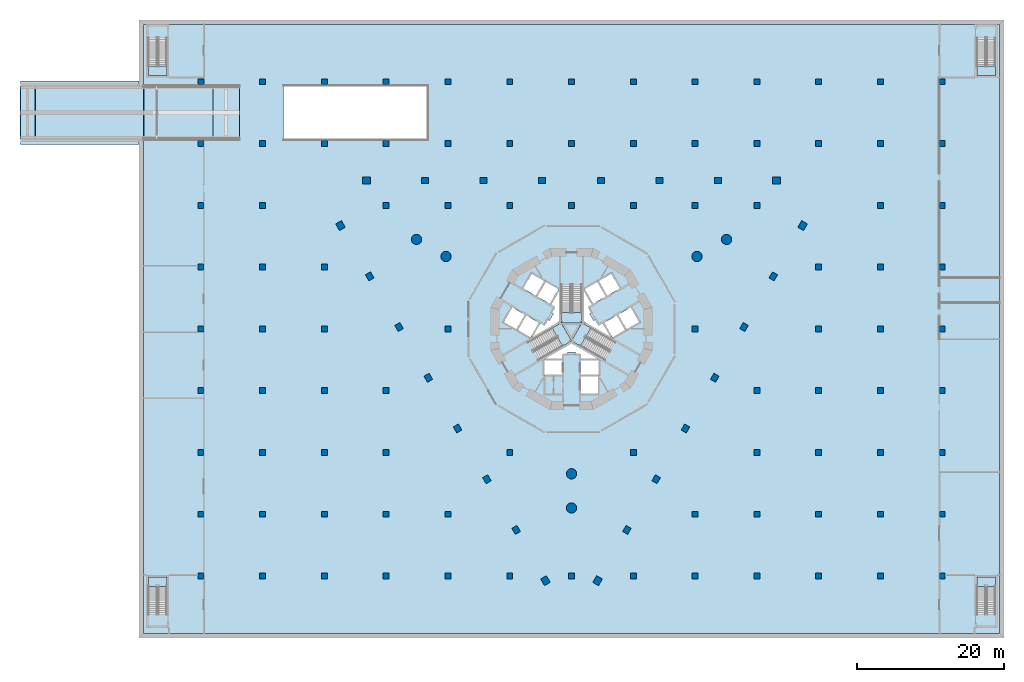
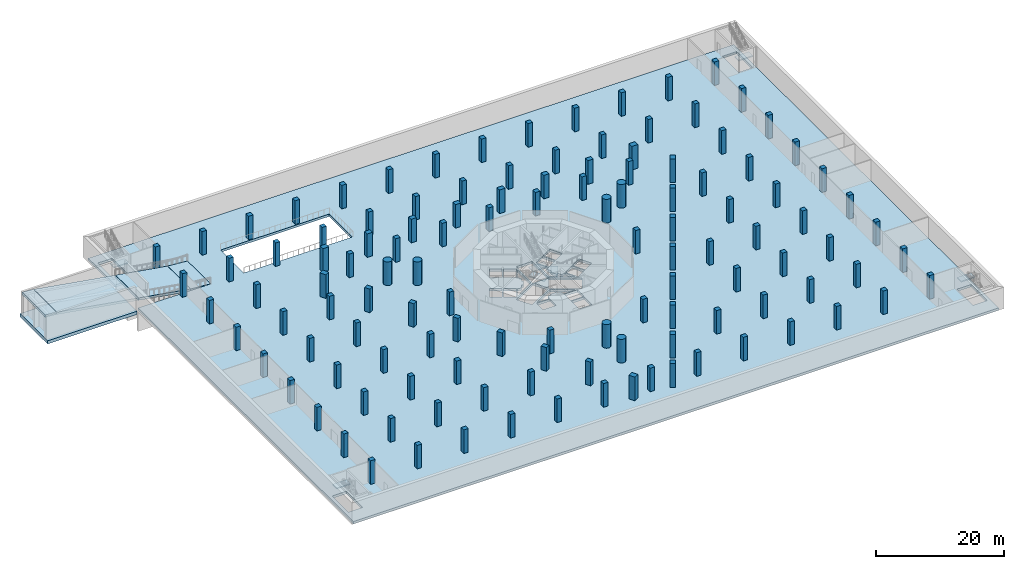
# One storey, part 1 of 21: 122 columns, 13 slabs, 1 footing, 7 elements without a shape of their own.
"""IFC4 building model written with IfcOpenShell, lengths in metres."""

from ifc_helpers import new_model, si_unit, direction, frame, origin, origin_2d, place, context, subcontext, project, spatial, polyline, rectangle, circle, outline, extrude, material, layer, layer_set, material_profile, profile_set, type_object, element, aggregate, save


model = new_model("IFC4")

# Units and contexts
model_context = context("Model", 3, precision=1e-05, world=origin(), true_north=direction((0.0, 1.0)))
body_context = subcontext(model_context, "Body", "Model", "MODEL_VIEW")
ifc_project = project(units=[si_unit("LENGTHUNIT", "METRE"), si_unit("AREAUNIT", "SQUARE_METRE"), si_unit("VOLUMEUNIT", "CUBIC_METRE"), si_unit("PLANEANGLEUNIT", "RADIAN"), si_unit("MASSUNIT", "GRAM", prefix="KILO")], contexts=[model_context])

# Site, building, storey
site_placement = place(None, origin())
site = spatial("IfcSite", under=ifc_project, at=site_placement, CompositionType="ELEMENT")
building_placement = place(site_placement, origin())
building = spatial("IfcBuilding", under=site, at=building_placement, Name="Trine Commons Tower", CompositionType="ELEMENT")
storey_placement = place(building_placement, frame((0.0, 0.0, -4.5)))
storey = spatial("IfcBuildingStorey", under=building, at=storey_placement, Name="B1", CompositionType="ELEMENT", Elevation=-4.5)

# Footing
ifc_material_1 = material(Name="Concrete C40/50", Category="concrete")
ifc_layer_1 = layer(ifc_material_1, 0.60009765625)
ifc_layer_set_1 = layer_set([ifc_layer_1], Name="Concrete C40/50")
footing_type = type_object("IfcFootingType", Name="Ramp footing 600 mm, C40/50", PredefinedType="PAD_FOOTING", material=ifc_layer_set_1)
footing_placement = place(storey_placement, frame((0.0, 0.0, -0.60009765625)))
element("IfcFooting", 1, at=footing_placement, inside=storey, type_object=footing_type, Name="R1 cutting footing", PredefinedType="PAD_FOOTING", context=body_context, shape_type="SweptSolid", body=[
    extrude(outline(polyline([(21.199951171875, 87.60009765625), (21.199951171875, 96.199951171875), (5.050048828125, 96.199951171875), (5.050048828125, 87.60009765625), (21.199951171875, 87.60009765625)])), origin(), (0.0, 0.0, 1.0), 0.60009765625),
])

# Columns
ifc_material_2 = material(Name="Concrete C80/95", Category="concrete")
ifc_material_profile_1 = material_profile(ifc_material_2, rectangle(XDim=1.050048828125, YDim=0.89990234375, at=origin_2d()), Name="RC 1050x900")
ifc_profile_set_1 = profile_set([ifc_material_profile_1], Name="Concrete C80/95")
column_type_1 = type_object("IfcColumnType", Name="RC column 1050x900, C80/95", PredefinedType="COLUMN", material=ifc_profile_set_1)
for number, where, z_axis, x_axis, name in (
    (2, (76.45556640625, 28.27001953125, 0.0), (0.0, 0.0, 1.0), (-0.5, 0.866025403784, 0.0), "Column PC1-01 B1"),
    (3, (48.583740234375, 76.54541015625, 0.0), (0.0, 0.0, 1.0), (-0.5, 0.866025403784, 0.0), "Column PC1-08 B1"),
    (4, (52.128173828125, 82.6845703125, 0.0), (0.0, 0.0, 1.0), (1.0, 0.0, 0.0), "Column PC1-09 B1"),
    (5, (107.871826171875, 82.6845703125, 0.0), (0.0, 0.0, 1.0), (1.0, 0.0, 0.0), "Column PC1-16 B1"),
    (6, (111.416259765625, 76.54541015625, 0.0), (0.0, 0.0, 1.0), (0.5, 0.866025403784, 0.0), "Column PC1-17 B1"),
    (7, (83.54443359375, 28.27001953125, 0.0), (0.0, 0.0, 1.0), (0.5, 0.866025403784, 0.0), "Column PC1-24 B1"),
):
    element("IfcColumn", number, at=place(storey_placement, frame(where, z_axis=z_axis, x_axis=x_axis)), inside=storey, type_object=column_type_1, Name=name, PredefinedType="COLUMN", context=body_context, shape_type="SweptSolid", body=[
        extrude(rectangle(XDim=1.050048828125, YDim=0.89990234375, at=origin_2d()), origin(), (0.0, 0.0, 1.0), 4.5),
    ])
ifc_material_3 = material(Name="Concrete C50/60", Category="concrete")
ifc_material_profile_2 = material_profile(ifc_material_3, rectangle(XDim=0.800048828125, YDim=0.800048828125, at=origin_2d()), Name="RC 800x800")
ifc_profile_set_2 = profile_set([ifc_material_profile_2], Name="Concrete C50/60")
column_type_2 = type_object("IfcColumnType", Name="RC column 800x800, C50/60", PredefinedType="COLUMN", material=ifc_profile_set_2)
for number, where, z_axis, x_axis, name in (
    (8, (29.60009765625, 28.89990234375, 0.0), (0.0, 0.0, 1.0), (1.0, 0.0, 0.0), "Column BC-01 B1"),
    (9, (38.0, 28.89990234375, 0.0), (0.0, 0.0, 1.0), (1.0, 0.0, 0.0), "Column BC-02 B1"),
    (10, (46.39990234375, 28.89990234375, 0.0), (0.0, 0.0, 1.0), (1.0, 0.0, 0.0), "Column BC-03 B1"),
    (11, (54.800048828125, 28.89990234375, 0.0), (0.0, 0.0, 1.0), (1.0, 0.0, 0.0), "Column BC-04 B1"),
    (12, (63.199951171875, 28.89990234375, 0.0), (0.0, 0.0, 1.0), (1.0, 0.0, 0.0), "Column BC-05 B1"),
    (13, (71.60009765625, 28.89990234375, 0.0), (0.0, 0.0, 1.0), (1.0, 0.0, 0.0), "Column BC-06 B1"),
    (14, (80.0, 28.89990234375, 0.0), (0.0, 0.0, 1.0), (1.0, 0.0, 0.0), "Column BC-07 B1"),
    (15, (88.39990234375, 28.89990234375, 0.0), (0.0, 0.0, 1.0), (1.0, 0.0, 0.0), "Column BC-08 B1"),
    (16, (96.800048828125, 28.89990234375, 0.0), (0.0, 0.0, 1.0), (1.0, 0.0, 0.0), "Column BC-09 B1"),
    (17, (105.199951171875, 28.89990234375, 0.0), (0.0, 0.0, 1.0), (1.0, 0.0, 0.0), "Column BC-10 B1"),
    (18, (113.60009765625, 28.89990234375, 0.0), (0.0, 0.0, 1.0), (1.0, 0.0, 0.0), "Column BC-11 B1"),
    (19, (122.0, 28.89990234375, 0.0), (0.0, 0.0, 1.0), (1.0, 0.0, 0.0), "Column BC-12 B1"),
    (20, (130.39990234375, 28.89990234375, 0.0), (0.0, 0.0, 1.0), (1.0, 0.0, 0.0), "Column BC-13 B1"),
    (21, (29.60009765625, 37.300048828125, 0.0), (0.0, 0.0, 1.0), (1.0, 0.0, 0.0), "Column BC-14 B1"),
    (22, (38.0, 37.300048828125, 0.0), (0.0, 0.0, 1.0), (1.0, 0.0, 0.0), "Column BC-15 B1"),
    (23, (46.39990234375, 37.300048828125, 0.0), (0.0, 0.0, 1.0), (1.0, 0.0, 0.0), "Column BC-16 B1"),
    (24, (54.800048828125, 37.300048828125, 0.0), (0.0, 0.0, 1.0), (1.0, 0.0, 0.0), "Column BC-17 B1"),
    (25, (63.199951171875, 37.300048828125, 0.0), (0.0, 0.0, 1.0), (1.0, 0.0, 0.0), "Column BC-18 B1"),
    (26, (96.800048828125, 37.300048828125, 0.0), (0.0, 0.0, 1.0), (1.0, 0.0, 0.0), "Column BC-19 B1"),
    (27, (105.199951171875, 37.300048828125, 0.0), (0.0, 0.0, 1.0), (1.0, 0.0, 0.0), "Column BC-20 B1"),
    (28, (113.60009765625, 37.300048828125, 0.0), (0.0, 0.0, 1.0), (1.0, 0.0, 0.0), "Column BC-21 B1"),
    (29, (122.0, 37.300048828125, 0.0), (0.0, 0.0, 1.0), (1.0, 0.0, 0.0), "Column BC-22 B1"),
    (30, (130.39990234375, 37.300048828125, 0.0), (0.0, 0.0, 1.0), (1.0, 0.0, 0.0), "Column BC-23 B1"),
    (31, (29.60009765625, 45.699951171875, 0.0), (0.0, 0.0, 1.0), (1.0, 0.0, 0.0), "Column BC-24 B1"),
    (32, (38.0, 45.699951171875, 0.0), (0.0, 0.0, 1.0), (1.0, 0.0, 0.0), "Column BC-25 B1"),
    (33, (46.39990234375, 45.699951171875, 0.0), (0.0, 0.0, 1.0), (1.0, 0.0, 0.0), "Column BC-26 B1"),
    (34, (54.800048828125, 45.699951171875, 0.0), (0.0, 0.0, 1.0), (1.0, 0.0, 0.0), "Column BC-27 B1"),
    (35, (71.60009765625, 45.699951171875, 0.0), (0.0, 0.0, 1.0), (1.0, 0.0, 0.0), "Column BC-28 B1"),
    (36, (88.39990234375, 45.699951171875, 0.0), (0.0, 0.0, 1.0), (1.0, 0.0, 0.0), "Column BC-29 B1"),
    (37, (105.199951171875, 45.699951171875, 0.0), (0.0, 0.0, 1.0), (1.0, 0.0, 0.0), "Column BC-30 B1"),
    (38, (113.60009765625, 45.699951171875, 0.0), (0.0, 0.0, 1.0), (1.0, 0.0, 0.0), "Column BC-31 B1"),
    (39, (122.0, 45.699951171875, 0.0), (0.0, 0.0, 1.0), (1.0, 0.0, 0.0), "Column BC-32 B1"),
    (40, (130.39990234375, 45.699951171875, 0.0), (0.0, 0.0, 1.0), (1.0, 0.0, 0.0), "Column BC-33 B1"),
    (41, (29.60009765625, 54.10009765625, 0.0), (0.0, 0.0, 1.0), (1.0, 0.0, 0.0), "Column BC-34 B1"),
    (42, (38.0, 54.10009765625, 0.0), (0.0, 0.0, 1.0), (1.0, 0.0, 0.0), "Column BC-35 B1"),
    (43, (46.39990234375, 54.10009765625, 0.0), (0.0, 0.0, 1.0), (1.0, 0.0, 0.0), "Column BC-36 B1"),
    (44, (54.800048828125, 54.10009765625, 0.0), (0.0, 0.0, 1.0), (1.0, 0.0, 0.0), "Column BC-37 B1"),
    (45, (105.199951171875, 54.10009765625, 0.0), (0.0, 0.0, 1.0), (1.0, 0.0, 0.0), "Column BC-38 B1"),
    (46, (113.60009765625, 54.10009765625, 0.0), (0.0, 0.0, 1.0), (1.0, 0.0, 0.0), "Column BC-39 B1"),
    (47, (122.0, 54.10009765625, 0.0), (0.0, 0.0, 1.0), (1.0, 0.0, 0.0), "Column BC-40 B1"),
    (48, (130.39990234375, 54.10009765625, 0.0), (0.0, 0.0, 1.0), (1.0, 0.0, 0.0), "Column BC-41 B1"),
    (49, (29.60009765625, 62.5, 0.0), (0.0, 0.0, 1.0), (1.0, 0.0, 0.0), "Column BC-42 B1"),
    (50, (38.0, 62.5, 0.0), (0.0, 0.0, 1.0), (1.0, 0.0, 0.0), "Column BC-43 B1"),
    (51, (46.39990234375, 62.5, 0.0), (0.0, 0.0, 1.0), (1.0, 0.0, 0.0), "Column BC-44 B1"),
    (52, (63.199951171875, 62.5, 0.0), (0.0, 0.0, 1.0), (1.0, 0.0, 0.0), "Column BC-45 B1"),
    (53, (96.800048828125, 62.5, 0.0), (0.0, 0.0, 1.0), (1.0, 0.0, 0.0), "Column BC-46 B1"),
    (54, (113.60009765625, 62.5, 0.0), (0.0, 0.0, 1.0), (1.0, 0.0, 0.0), "Column BC-47 B1"),
    (55, (122.0, 62.5, 0.0), (0.0, 0.0, 1.0), (1.0, 0.0, 0.0), "Column BC-48 B1"),
    (56, (130.39990234375, 62.5, 0.0), (0.0, 0.0, 1.0), (1.0, 0.0, 0.0), "Column BC-49 B1"),
    (57, (29.60009765625, 70.89990234375, 0.0), (0.0, 0.0, 1.0), (1.0, 0.0, 0.0), "Column BC-50 B1"),
    (58, (38.0, 70.89990234375, 0.0), (0.0, 0.0, 1.0), (1.0, 0.0, 0.0), "Column BC-51 B1"),
    (59, (46.39990234375, 70.89990234375, 0.0), (0.0, 0.0, 1.0), (1.0, 0.0, 0.0), "Column BC-52 B1"),
    (60, (113.60009765625, 70.89990234375, 0.0), (0.0, 0.0, 1.0), (1.0, 0.0, 0.0), "Column BC-53 B1"),
    (61, (122.0, 70.89990234375, 0.0), (0.0, 0.0, 1.0), (1.0, 0.0, 0.0), "Column BC-54 B1"),
    (62, (130.39990234375, 70.89990234375, 0.0), (0.0, 0.0, 1.0), (1.0, 0.0, 0.0), "Column BC-55 B1"),
    (63, (29.60009765625, 79.300048828125, 0.0), (0.0, 0.0, 1.0), (1.0, 0.0, 0.0), "Column BC-56 B1"),
    (64, (38.0, 79.300048828125, 0.0), (0.0, 0.0, 1.0), (1.0, 0.0, 0.0), "Column BC-57 B1"),
    (65, (54.800048828125, 79.300048828125, 0.0), (0.0, 0.0, 1.0), (1.0, 0.0, 0.0), "Column BC-58 B1"),
    (66, (63.199951171875, 79.300048828125, 0.0), (0.0, 0.0, 1.0), (1.0, 0.0, 0.0), "Column BC-59 B1"),
    (67, (71.60009765625, 79.300048828125, 0.0), (0.0, 0.0, 1.0), (1.0, 0.0, 0.0), "Column BC-60 B1"),
    (68, (80.0, 79.300048828125, 0.0), (0.0, 0.0, 1.0), (1.0, 0.0, 0.0), "Column BC-61 B1"),
    (69, (88.39990234375, 79.300048828125, 0.0), (0.0, 0.0, 1.0), (1.0, 0.0, 0.0), "Column BC-62 B1"),
    (70, (96.800048828125, 79.300048828125, 0.0), (0.0, 0.0, 1.0), (1.0, 0.0, 0.0), "Column BC-63 B1"),
    (71, (105.199951171875, 79.300048828125, 0.0), (0.0, 0.0, 1.0), (1.0, 0.0, 0.0), "Column BC-64 B1"),
    (72, (122.0, 79.300048828125, 0.0), (0.0, 0.0, 1.0), (1.0, 0.0, 0.0), "Column BC-65 B1"),
    (73, (130.39990234375, 79.300048828125, 0.0), (0.0, 0.0, 1.0), (1.0, 0.0, 0.0), "Column BC-66 B1"),
    (74, (29.60009765625, 87.699951171875, 0.0), (0.0, 0.0, 1.0), (1.0, 0.0, 0.0), "Column BC-67 B1"),
    (75, (38.0, 87.699951171875, 0.0), (0.0, 0.0, 1.0), (1.0, 0.0, 0.0), "Column BC-68 B1"),
    (76, (46.39990234375, 87.699951171875, 0.0), (0.0, 0.0, 1.0), (1.0, 0.0, 0.0), "Column BC-69 B1"),
    (77, (54.800048828125, 87.699951171875, 0.0), (0.0, 0.0, 1.0), (1.0, 0.0, 0.0), "Column BC-70 B1"),
    (78, (63.199951171875, 87.699951171875, 0.0), (0.0, 0.0, 1.0), (1.0, 0.0, 0.0), "Column BC-71 B1"),
    (79, (71.60009765625, 87.699951171875, 0.0), (0.0, 0.0, 1.0), (1.0, 0.0, 0.0), "Column BC-72 B1"),
    (80, (80.0, 87.699951171875, 0.0), (0.0, 0.0, 1.0), (1.0, 0.0, 0.0), "Column BC-73 B1"),
    (81, (88.39990234375, 87.699951171875, 0.0), (0.0, 0.0, 1.0), (1.0, 0.0, 0.0), "Column BC-74 B1"),
    (82, (96.800048828125, 87.699951171875, 0.0), (0.0, 0.0, 1.0), (1.0, 0.0, 0.0), "Column BC-75 B1"),
    (83, (105.199951171875, 87.699951171875, 0.0), (0.0, 0.0, 1.0), (1.0, 0.0, 0.0), "Column BC-76 B1"),
    (84, (113.60009765625, 87.699951171875, 0.0), (0.0, 0.0, 1.0), (1.0, 0.0, 0.0), "Column BC-77 B1"),
    (85, (122.0, 87.699951171875, 0.0), (0.0, 0.0, 1.0), (1.0, 0.0, 0.0), "Column BC-78 B1"),
    (86, (130.39990234375, 87.699951171875, 0.0), (0.0, 0.0, 1.0), (1.0, 0.0, 0.0), "Column BC-79 B1"),
    (87, (29.60009765625, 96.10009765625, 0.0), (0.0, 0.0, 1.0), (1.0, 0.0, 0.0), "Column BC-80 B1"),
    (88, (38.0, 96.10009765625, 0.0), (0.0, 0.0, 1.0), (1.0, 0.0, 0.0), "Column BC-81 B1"),
    (89, (46.39990234375, 96.10009765625, 0.0), (0.0, 0.0, 1.0), (1.0, 0.0, 0.0), "Column BC-82 B1"),
    (90, (54.800048828125, 96.10009765625, 0.0), (0.0, 0.0, 1.0), (1.0, 0.0, 0.0), "Column BC-83 B1"),
    (91, (63.199951171875, 96.10009765625, 0.0), (0.0, 0.0, 1.0), (1.0, 0.0, 0.0), "Column BC-84 B1"),
    (92, (71.60009765625, 96.10009765625, 0.0), (0.0, 0.0, 1.0), (1.0, 0.0, 0.0), "Column BC-85 B1"),
    (93, (80.0, 96.10009765625, 0.0), (0.0, 0.0, 1.0), (1.0, 0.0, 0.0), "Column BC-86 B1"),
    (94, (88.39990234375, 96.10009765625, 0.0), (0.0, 0.0, 1.0), (1.0, 0.0, 0.0), "Column BC-87 B1"),
    (95, (96.800048828125, 96.10009765625, 0.0), (0.0, 0.0, 1.0), (1.0, 0.0, 0.0), "Column BC-88 B1"),
    (96, (105.199951171875, 96.10009765625, 0.0), (0.0, 0.0, 1.0), (1.0, 0.0, 0.0), "Column BC-89 B1"),
    (97, (113.60009765625, 96.10009765625, 0.0), (0.0, 0.0, 1.0), (1.0, 0.0, 0.0), "Column BC-90 B1"),
    (98, (122.0, 96.10009765625, 0.0), (0.0, 0.0, 1.0), (1.0, 0.0, 0.0), "Column BC-91 B1"),
    (99, (130.39990234375, 96.10009765625, 0.0), (0.0, 0.0, 1.0), (1.0, 0.0, 0.0), "Column BC-92 B1"),
):
    element("IfcColumn", number, at=place(storey_placement, frame(where, z_axis=z_axis, x_axis=x_axis)), inside=storey, type_object=column_type_2, Name=name, PredefinedType="COLUMN", context=body_context, shape_type="SweptSolid", body=[
        extrude(rectangle(XDim=0.800048828125, YDim=0.800048828125, at=origin_2d()), origin(), (0.0, 0.0, 1.0), 4.5),
    ])
ifc_material_profile_3 = material_profile(ifc_material_2, rectangle(XDim=0.949951171875, YDim=0.800048828125, at=origin_2d()), Name="RC 950x800")
ifc_profile_set_3 = profile_set([ifc_material_profile_3], Name="Concrete C80/95")
column_type_3 = type_object("IfcColumnType", Name="RC column 950x800, C80/95", PredefinedType="COLUMN", material=ifc_profile_set_3)
for number, where, z_axis, x_axis, name in (
    (100, (72.473876953125, 35.16650390625, 0.0), (0.0, 0.0, 1.0), (-0.5, 0.866025403784, 0.0), "Column PC1-02 B1"),
    (101, (68.4921875, 42.06298828125, 0.0), (0.0, 0.0, 1.0), (-0.5, 0.866025403784, 0.0), "Column PC1-03 B1"),
    (102, (64.510498046875, 48.95947265625, 0.0), (0.0, 0.0, 1.0), (-0.5, 0.866025403784, 0.0), "Column PC1-04 B1"),
    (103, (60.52880859375, 55.85595703125, 0.0), (0.0, 0.0, 1.0), (-0.5, 0.866025403784, 0.0), "Column PC1-05 B1"),
    (104, (56.547119140625, 62.75244140625, 0.0), (0.0, 0.0, 1.0), (-0.5, 0.866025403784, 0.0), "Column PC1-06 B1"),
    (105, (52.5654296875, 69.64892578125, 0.0), (0.0, 0.0, 1.0), (-0.5, 0.866025403784, 0.0), "Column PC1-07 B1"),
    (106, (60.091552734375, 82.6845703125, 0.0), (0.0, 0.0, 1.0), (1.0, 0.0, 0.0), "Column PC1-10 B1"),
    (107, (68.054931640625, 82.6845703125, 0.0), (0.0, 0.0, 1.0), (1.0, 0.0, 0.0), "Column PC1-11 B1"),
    (108, (76.018310546875, 82.6845703125, 0.0), (0.0, 0.0, 1.0), (1.0, 0.0, 0.0), "Column PC1-12 B1"),
    (109, (83.981689453125, 82.6845703125, 0.0), (0.0, 0.0, 1.0), (1.0, 0.0, 0.0), "Column PC1-13 B1"),
    (110, (91.945068359375, 82.6845703125, 0.0), (0.0, 0.0, 1.0), (1.0, 0.0, 0.0), "Column PC1-14 B1"),
    (111, (99.908447265625, 82.6845703125, 0.0), (0.0, 0.0, 1.0), (1.0, 0.0, 0.0), "Column PC1-15 B1"),
    (112, (107.4345703125, 69.64892578125, 0.0), (0.0, 0.0, 1.0), (0.5, 0.866025403784, 0.0), "Column PC1-18 B1"),
    (113, (103.452880859375, 62.75244140625, 0.0), (0.0, 0.0, 1.0), (0.5, 0.866025403784, 0.0), "Column PC1-19 B1"),
    (114, (99.47119140625, 55.85595703125, 0.0), (0.0, 0.0, 1.0), (0.5, 0.866025403784, 0.0), "Column PC1-20 B1"),
    (115, (95.489501953125, 48.95947265625, 0.0), (0.0, 0.0, 1.0), (0.5, 0.866025403784, 0.0), "Column PC1-21 B1"),
    (116, (91.5078125, 42.06298828125, 0.0), (0.0, 0.0, 1.0), (0.5, 0.866025403784, 0.0), "Column PC1-22 B1"),
    (117, (87.526123046875, 35.16650390625, 0.0), (0.0, 0.0, 1.0), (0.5, 0.866025403784, 0.0), "Column PC1-23 B1"),
):
    element("IfcColumn", number, at=place(storey_placement, frame(where, z_axis=z_axis, x_axis=x_axis)), inside=storey, type_object=column_type_3, Name=name, PredefinedType="COLUMN", context=body_context, shape_type="SweptSolid", body=[
        extrude(rectangle(XDim=0.949951171875, YDim=0.800048828125, at=origin_2d()), origin(), (0.0, 0.0, 1.0), 4.5),
    ])
ifc_material_profile_4 = material_profile(ifc_material_2, circle(Radius=0.699951171875, at=origin_2d()), Name="RC round 1400")
ifc_profile_set_4 = profile_set([ifc_material_profile_4], Name="Concrete C80/95")
column_type_4 = type_object("IfcColumnType", Name="RC round column 1400 mm, C80/95", PredefinedType="COLUMN", material=ifc_profile_set_4)
for number, where, z_axis, x_axis, name in (
    (118, (80.0, 42.802978515625, 0.0), (0.0, 0.0, 1.0), (1.0, 0.0, 0.0), "Column WC1-1 B1"),
    (119, (80.0, 38.162109375, 0.0), (0.0, 0.0, 1.0), (1.0, 0.0, 0.0), "Column WC1-2 B1"),
    (120, (97.05810546875, 72.348388671875, 0.0), (0.0, 0.0, 1.0), (1.0, 0.0, 0.0), "Column WC1-3 B1"),
    (121, (101.0771484375, 74.6689453125, 0.0), (0.0, 0.0, 1.0), (1.0, 0.0, 0.0), "Column WC1-4 B1"),
    (122, (62.94189453125, 72.348388671875, 0.0), (0.0, 0.0, 1.0), (1.0, 0.0, 0.0), "Column WC1-5 B1"),
    (123, (58.9228515625, 74.6689453125, 0.0), (0.0, 0.0, 1.0), (1.0, 0.0, 0.0), "Column WC1-6 B1"),
):
    element("IfcColumn", number, at=place(storey_placement, frame(where, z_axis=z_axis, x_axis=x_axis)), inside=storey, type_object=column_type_4, Name=name, PredefinedType="COLUMN", context=body_context, shape_type="SweptSolid", body=[
        extrude(circle(Radius=0.699951171875, at=origin_2d()), origin(), (0.0, 0.0, 1.0), 4.5),
    ])

# Slabs
ifc_layer_2 = layer(ifc_material_1, 0.449951171875)
ifc_layer_set_2 = layer_set([ifc_layer_2], Name="Concrete C40/50")
slab_type_1 = type_object("IfcSlabType", Name="Car ramp slab 450 mm, C40/50", PredefinedType="USERDEFINED", material=ifc_layer_set_2)
slab_1_placement = place(storey_placement, frame((5.050048828125, 88.300048828125, 4.5), z_axis=(0.083085749549, 0.0, 0.996542401618), x_axis=(0.0, 1.0, 0.0)))
element("IfcSlab", 124, at=slab_1_placement, inside=storey, type_object=slab_type_1, Name="Car ramp R1 slab 1", ObjectType="RAMP", PredefinedType="USERDEFINED", context=body_context, shape_type="SweptSolid", body=[
    extrude(outline(polyline([(0.0, 0.0), (7.199951171875, 0.0), (7.199951171875, -2.0069391896957485), (0.0, -2.0069391896957485), (0.0, 0.0)])), origin(), (0.0, 0.0, -1.0), 0.449951171875),
])
slab_2_placement = place(storey_placement, frame((7.1240234375, 88.300048828125, 4.321044921875), z_axis=(0.164401648222, 0.0, 0.986393480342), x_axis=(0.0, 1.0, 0.0)))
element("IfcSlab", 125, at=slab_2_placement, inside=storey, type_object=slab_type_1, Name="Car ramp R1 slab 2", ObjectType="RAMP", PredefinedType="USERDEFINED", context=body_context, shape_type="SweptSolid", body=[
    extrude(outline(polyline([(0.0, 0.0), (7.199951171875, 0.0), (7.199951171875, -14.878469579432561), (0.0, -14.878469579432561), (0.0, 0.0)])), origin(), (0.0, 0.0, -1.0), 0.449951171875),
])
slab_3_placement = place(storey_placement, frame((21.8740234375, 88.300048828125, 1.86279296875), z_axis=(0.16440731745, 0.0, 0.986392535439), x_axis=(0.0, 1.0, 0.0)))
element("IfcSlab", 126, at=slab_3_placement, inside=storey, type_object=slab_type_1, Name="Car ramp R1 slab 3", ObjectType="RAMP", PredefinedType="USERDEFINED", context=body_context, shape_type="SweptSolid", body=[
    extrude(outline(polyline([(0.0, 0.0), (7.199951171875, 0.0), (7.199951171875, -9.505319865717675), (0.0, -9.505319865717675), (0.0, 0.0)])), origin(), (0.0, 0.0, -1.0), 0.449951171875),
])
slab_4_placement = place(storey_placement, frame((31.287353515625, 88.300048828125, 0.296875), z_axis=(0.083039828321, 0.0, 0.99654622919), x_axis=(0.0, 1.0, 0.0)))
element("IfcSlab", 127, at=slab_4_placement, inside=storey, type_object=slab_type_1, Name="Car ramp R1 slab 4", ObjectType="RAMP", PredefinedType="USERDEFINED", context=body_context, shape_type="SweptSolid", body=[
    extrude(outline(polyline([(0.0, 0.0), (7.199951171875, 0.0), (7.199951171875, -3.575091687940712), (0.0, -3.575091687940712), (0.0, 0.0)])), origin(), (0.0, 0.0, -1.0), 0.449951171875),
])
ifc_layer_3 = layer(ifc_material_3, 0.449951171875)
ifc_layer_set_3 = layer_set([ifc_layer_3], Name="Concrete C50/60")
slab_type_2 = type_object("IfcSlabType", Name="PT flat slab 450 mm, C50/60", PredefinedType="FLOOR", material=ifc_layer_set_3)
slab_5_placement = place(storey_placement, frame((0.0, 0.0, -0.449951171875)))
element("IfcSlab", 128, at=slab_5_placement, inside=storey, type_object=slab_type_2, Name="B1 floor slab", PredefinedType="FLOOR", context=body_context, shape_type="SweptSolid", body=[
    extrude(outline(polyline([(21.800048828125, 103.89990234375), (138.199951171875, 103.89990234375), (138.199951171875, 21.10009765625), (21.800048828125, 21.10009765625), (21.800048828125, 88.300048828125), (34.85009765625, 88.300048828125), (34.85009765625, 95.5), (21.800048828125, 95.5), (21.800048828125, 103.89990234375)]), holes=[polyline([(25.0, 28.77001953125), (22.449951171875, 28.77001953125), (22.449951171875, 23.72998046875), (25.0, 23.72998046875), (25.0, 28.77001953125)]), polyline([(76.300048828125, 56.25), (78.699951171875, 56.25), (78.699951171875, 58.25), (76.300048828125, 58.25), (76.300048828125, 56.25)]), polyline([(81.14990234375, 59.10009765625), (81.300048828125, 58.449951171875), (83.56494140625, 58.449951171875), (80.0, 60.508056640625), (76.43505859375, 58.449951171875), (78.699951171875, 58.449951171875), (78.85009765625, 59.10009765625), (79.449951171875, 59.10009765625), (79.449951171875, 59.360107421875), (80.550048828125, 59.360107421875), (80.550048828125, 59.10009765625), (81.14990234375, 59.10009765625)]), polyline([(75.5244140625, 58.2705078125), (80.0, 60.8544921875), (84.4755859375, 58.2705078125), (85.900390625, 60.73876953125), (81.425048828125, 63.32275390625), (81.425048828125, 68.490478515625), (78.574951171875, 68.490478515625), (78.574951171875, 63.32275390625), (74.099609375, 60.73876953125), (75.5244140625, 58.2705078125)]), polyline([(75.5693359375, 63.325927734375), (73.83740234375, 64.325927734375), (72.687255859375, 62.333984375), (74.41943359375, 61.333984375), (75.5693359375, 63.325927734375)]), polyline([(71.93212890625, 65.426025390625), (70.781982421875, 63.43408203125), (72.51416015625, 62.43408203125), (73.6640625, 64.426025390625), (71.93212890625, 65.426025390625)]), polyline([(77.006103515625, 63.593994140625), (76.781005859375, 63.722900390625), (76.381103515625, 63.031005859375), (75.742919921875, 63.22607421875), (74.7099609375, 61.43798828125), (78.27490234375, 63.49609375), (78.27490234375, 67.612060546875), (77.242919921875, 65.823974609375), (77.73095703125, 65.368896484375), (77.3310546875, 64.676025390625), (77.555908203125, 64.5458984375), (77.006103515625, 63.593994140625)]), polyline([(78.219482421875, 67.916015625), (76.4873046875, 68.916015625), (75.33740234375, 66.924072265625), (77.0693359375, 65.924072265625), (78.219482421875, 67.916015625)]), polyline([(74.58203125, 70.015869140625), (73.43212890625, 68.02392578125), (75.1640625, 67.02392578125), (76.314208984375, 69.015869140625), (74.58203125, 70.015869140625)]), polyline([(60.39990234375, 88.300048828125), (60.39990234375, 95.5), (40.85009765625, 95.5), (40.85009765625, 88.300048828125), (60.39990234375, 88.300048828125)]), polyline([(22.449951171875, 96.97998046875), (25.0, 96.97998046875), (25.0, 102.02001953125), (22.449951171875, 102.02001953125), (22.449951171875, 96.97998046875)]), polyline([(137.64990234375, 23.72998046875), (137.64990234375, 28.77001953125), (135.10009765625, 28.77001953125), (135.10009765625, 23.72998046875), (137.64990234375, 23.72998046875)]), polyline([(81.300048828125, 56.050048828125), (81.300048828125, 53.64990234375), (83.60009765625, 53.64990234375), (83.60009765625, 56.050048828125), (81.300048828125, 56.050048828125)]), polyline([(81.300048828125, 56.25), (83.699951171875, 56.25), (83.699951171875, 58.25), (81.300048828125, 58.25), (81.300048828125, 56.25)]), polyline([(85.58056640625, 61.333984375), (87.312744140625, 62.333984375), (86.16259765625, 64.325927734375), (84.4306640625, 63.325927734375), (85.58056640625, 61.333984375)]), polyline([(89.218017578125, 63.43408203125), (88.06787109375, 65.426025390625), (86.3359375, 64.426025390625), (87.48583984375, 62.43408203125), (89.218017578125, 63.43408203125)]), polyline([(83.618896484375, 63.031005859375), (83.243896484375, 63.738037109375), (82.993896484375, 63.593994140625), (82.444091796875, 64.5458984375), (82.72705078125, 64.7099609375), (82.281005859375, 65.549072265625), (82.757080078125, 65.823974609375), (81.72509765625, 67.612060546875), (81.72509765625, 63.49609375), (85.2900390625, 61.43798828125), (84.257080078125, 63.22607421875), (83.618896484375, 63.031005859375)]), polyline([(84.66259765625, 66.924072265625), (83.5126953125, 68.916015625), (81.780517578125, 67.916015625), (82.9306640625, 65.924072265625), (84.66259765625, 66.924072265625)]), polyline([(84.8359375, 67.02392578125), (86.56787109375, 68.02392578125), (85.41796875, 70.015869140625), (83.685791015625, 69.015869140625), (84.8359375, 67.02392578125)]), polyline([(135.10009765625, 102.02001953125), (135.10009765625, 96.97998046875), (137.64990234375, 96.97998046875), (137.64990234375, 102.02001953125), (135.10009765625, 102.02001953125)])]), origin(), (0.0, 0.0, 1.0), 0.449951171875),
])
slab_6_placement = place(storey_placement, frame((0.0, 0.0, -0.449951171875)))
element("IfcSlab", 129, at=slab_6_placement, inside=storey, type_object=slab_type_2, Name="B1 floor slab", PredefinedType="FLOOR", context=body_context, shape_type="SweptSolid", body=[
    extrude(outline(polyline([(78.61328125, 63.300537109375), (81.38671875, 63.300537109375), (80.0, 60.89892578125), (78.61328125, 63.300537109375)])), origin(), (0.0, 0.0, 1.0), 0.449951171875),
])

# Stair, slab
stair_type_1 = type_object("IfcStairType", Name="Exit stair, dog-leg 1200 mm, C40/50", PredefinedType="HALF_TURN_STAIR", material=ifc_material_1)
stair_1_placement = place(storey_placement, origin())
stair_1 = element("IfcStair", 130, at=stair_1_placement, inside=storey, type_object=stair_type_1, Name="B1 Exit stair STB1", PredefinedType="HALF_TURN_STAIR")
ifc_layer_4 = layer(ifc_material_1, 0.199951171875)
ifc_layer_set_4 = layer_set([ifc_layer_4], Name="Concrete C40/50")
slab_type_3 = type_object("IfcSlabType", Name="Stair landing 200 mm, C40/50", PredefinedType="LANDING", material=ifc_layer_set_4)
slab_7_placement = place(storey_placement, frame((0.0, 0.0, 2.050048828125)))
slab_7 = element("IfcSlab", 131, at=slab_7_placement, type_object=slab_type_3, Name="STB1 landing 1", PredefinedType="LANDING", context=body_context, shape_type="SweptSolid", body=[
    extrude(outline(polyline([(25.0, 27.489990234375), (25.0, 28.77001953125), (22.449951171875, 28.77001953125), (22.449951171875, 27.489990234375), (25.0, 27.489990234375)])), origin(), (0.0, 0.0, 1.0), 0.199951171875),
])
aggregate(stair_1, [slab_7])

stair_2_placement = place(storey_placement, origin())
stair_2 = element("IfcStair", 132, at=stair_2_placement, inside=storey, type_object=stair_type_1, Name="B1 Exit stair STB2", PredefinedType="HALF_TURN_STAIR")
slab_8_placement = place(storey_placement, frame((0.0, 0.0, 2.050048828125)))
slab_8 = element("IfcSlab", 133, at=slab_8_placement, type_object=slab_type_3, Name="STB2 landing 1", PredefinedType="LANDING", context=body_context, shape_type="SweptSolid", body=[
    extrude(outline(polyline([(137.64990234375, 27.489990234375), (137.64990234375, 28.77001953125), (135.10009765625, 28.77001953125), (135.10009765625, 27.489990234375), (137.64990234375, 27.489990234375)])), origin(), (0.0, 0.0, 1.0), 0.199951171875),
])
aggregate(stair_2, [slab_8])

stair_3_placement = place(storey_placement, origin())
stair_3 = element("IfcStair", 134, at=stair_3_placement, inside=storey, type_object=stair_type_1, Name="B1 Exit stair STB3", PredefinedType="HALF_TURN_STAIR")
slab_9_placement = place(storey_placement, frame((0.0, 0.0, 2.050048828125)))
slab_9 = element("IfcSlab", 135, at=slab_9_placement, type_object=slab_type_3, Name="STB3 landing 1", PredefinedType="LANDING", context=body_context, shape_type="SweptSolid", body=[
    extrude(outline(polyline([(22.449951171875, 98.260009765625), (22.449951171875, 96.97998046875), (25.0, 96.97998046875), (25.0, 98.260009765625), (22.449951171875, 98.260009765625)])), origin(), (0.0, 0.0, 1.0), 0.199951171875),
])
aggregate(stair_3, [slab_9])

stair_4_placement = place(storey_placement, origin())
stair_4 = element("IfcStair", 136, at=stair_4_placement, inside=storey, type_object=stair_type_1, Name="B1 Exit stair STB4", PredefinedType="HALF_TURN_STAIR")
slab_10_placement = place(storey_placement, frame((0.0, 0.0, 2.050048828125)))
slab_10 = element("IfcSlab", 137, at=slab_10_placement, type_object=slab_type_3, Name="STB4 landing 1", PredefinedType="LANDING", context=body_context, shape_type="SweptSolid", body=[
    extrude(outline(polyline([(135.10009765625, 98.260009765625), (135.10009765625, 96.97998046875), (137.64990234375, 96.97998046875), (137.64990234375, 98.260009765625), (135.10009765625, 98.260009765625)])), origin(), (0.0, 0.0, 1.0), 0.199951171875),
])
aggregate(stair_4, [slab_10])

stair_type_2 = type_object("IfcStairType", Name="Exit stair, dog-leg, 30 risers of 150 mm", PredefinedType="HALF_TURN_STAIR", material=ifc_material_3)
stair_5_placement = place(storey_placement, origin())
stair_5 = element("IfcStair", 138, at=stair_5_placement, inside=storey, type_object=stair_type_2, Name="B1 Exit stair ST1A", PredefinedType="HALF_TURN_STAIR")
ifc_layer_5 = layer(ifc_material_3, 0.199951171875)
ifc_layer_set_5 = layer_set([ifc_layer_5], Name="Concrete C50/60")
slab_type_4 = type_object("IfcSlabType", Name="Stair landing slab 200 mm, C50/60", PredefinedType="LANDING", material=ifc_layer_set_5)
slab_11_placement = place(storey_placement, frame((0.0, 0.0, 2.050048828125)))
slab_11 = element("IfcSlab", 139, at=slab_11_placement, type_object=slab_type_4, Name="ST1A landing 1", PredefinedType="LANDING", context=body_context, shape_type="SweptSolid", body=[
    extrude(outline(polyline([(78.574951171875, 64.730712890625), (78.574951171875, 63.300537109375), (81.425048828125, 63.300537109375), (81.425048828125, 64.730712890625), (78.574951171875, 64.730712890625)])), origin(), (0.0, 0.0, 1.0), 0.199951171875),
])
aggregate(stair_5, [slab_11])

stair_6_placement = place(storey_placement, origin())
stair_6 = element("IfcStair", 140, at=stair_6_placement, inside=storey, type_object=stair_type_2, Name="B1 Exit stair ST2A", PredefinedType="HALF_TURN_STAIR")
slab_12_placement = place(storey_placement, frame((0.0, 0.0, 2.050048828125)))
slab_12 = element("IfcSlab", 141, at=slab_12_placement, type_object=slab_type_4, Name="ST2A landing 1", PredefinedType="LANDING", context=body_context, shape_type="SweptSolid", body=[
    extrude(outline(polyline([(78.78076171875, 60.150634765625), (80.019287109375, 60.86572265625), (78.59423828125, 63.333740234375), (77.355712890625, 62.618896484375), (78.78076171875, 60.150634765625)])), origin(), (0.0, 0.0, 1.0), 0.199951171875),
])
aggregate(stair_6, [slab_12])

stair_7_placement = place(storey_placement, origin())
stair_7 = element("IfcStair", 142, at=stair_7_placement, inside=storey, type_object=stair_type_2, Name="B1 Exit stair ST3A", PredefinedType="HALF_TURN_STAIR")
slab_13_placement = place(storey_placement, frame((0.0, 0.0, 2.050048828125)))
slab_13 = element("IfcSlab", 143, at=slab_13_placement, type_object=slab_type_4, Name="ST3A landing 1", PredefinedType="LANDING", context=body_context, shape_type="SweptSolid", body=[
    extrude(outline(polyline([(82.644287109375, 62.618896484375), (81.40576171875, 63.333740234375), (79.980712890625, 60.86572265625), (81.21923828125, 60.150634765625), (82.644287109375, 62.618896484375)])), origin(), (0.0, 0.0, 1.0), 0.199951171875),
])
aggregate(stair_7, [slab_13])

save(model, "model.ifc")
